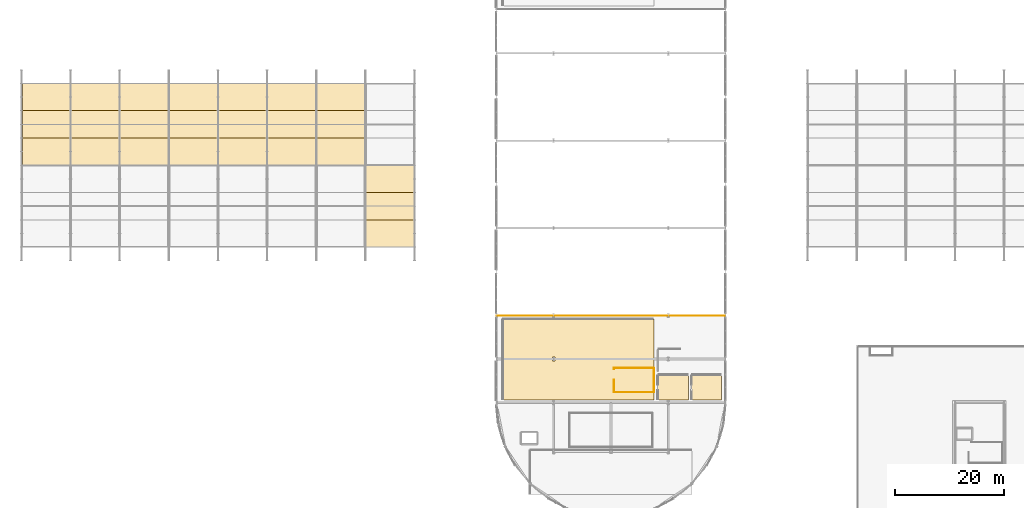
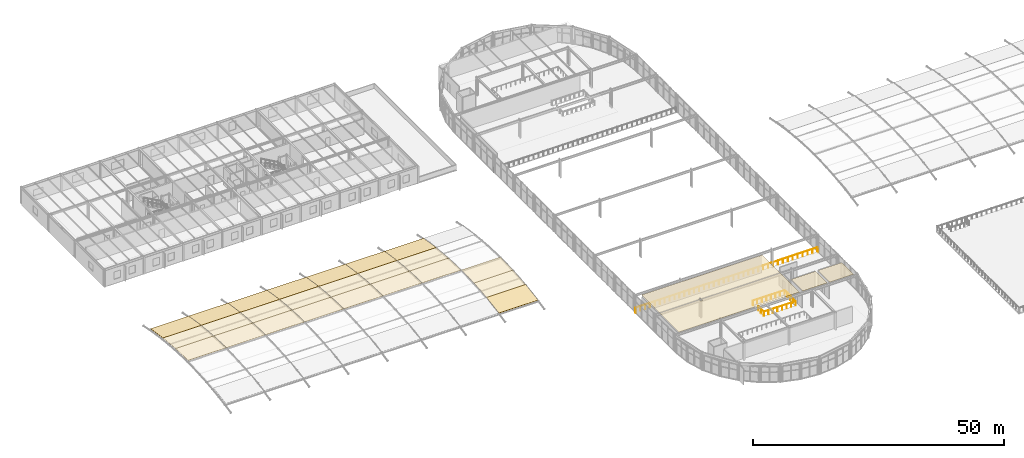
# One storey, part 90 of 105: 27 coverings, 3 railings.
"""IFC4 building model written with IfcOpenShell, lengths in metres."""

from ifc_helpers import new_model, si_unit, direction, frame, origin, origin_2d, place, context, subcontext, project, spatial, polyline, circle, outline, extrude, material, layer, layer_set, type_object, element, save


model = new_model("IFC4")

# Units and contexts
model_context = context("Model", 3, precision=1e-05, world=origin(), true_north=direction((0.0, 1.0)))
body_context = subcontext(model_context, "Body", "Model", "MODEL_VIEW")
ifc_project = project(units=[si_unit("LENGTHUNIT", "METRE"), si_unit("AREAUNIT", "SQUARE_METRE"), si_unit("VOLUMEUNIT", "CUBIC_METRE"), si_unit("PLANEANGLEUNIT", "RADIAN"), si_unit("MASSUNIT", "GRAM", prefix="KILO")], contexts=[model_context])

# Site, building, storey
site_placement = place(None, origin())
site = spatial("IfcSite", under=ifc_project, at=site_placement, CompositionType="ELEMENT")
building_placement = place(site_placement, origin())
building = spatial("IfcBuilding", under=site, at=building_placement, Name="Marlcrest Central Station", CompositionType="ELEMENT")
storey_placement = place(building_placement, frame((0.0, 0.0, 15.0)))
storey = spatial("IfcBuildingStorey", under=building, at=storey_placement, Name="L03", CompositionType="ELEMENT", Elevation=15.0)

# Coverings
ifc_material_1 = material(Name="Perforated acoustic mineral-fibre ceiling")
ifc_layer_1 = layer(ifc_material_1, 0.02490234375, Name="CV-CLG")
ifc_layer_set_1 = layer_set([ifc_layer_1], Name="Perforated acoustic mineral-fibre ceiling")
covering_type_1 = type_object("IfcCoveringType", Name="CV-CLG", PredefinedType="CEILING", material=ifc_layer_set_1)
covering_1_placement = place(storey_placement, frame((0.0, 0.0, 4.175048828125)))
element("IfcCovering", 1, at=covering_1_placement, inside=storey, type_object=covering_type_1, Name="cov-clg-0119", PredefinedType="CEILING", context=body_context, shape_type="SweptSolid", body=[
    extrude(outline(polyline([(88.159912109375, 22.9599609375), (88.159912109375, 37.840087890625), (115.840087890625, 37.840087890625), (115.840087890625, 22.9599609375), (88.159912109375, 22.9599609375)]), holes=[polyline([(97.7099609375, 30.885009765625), (97.2900390625, 30.885009765625), (97.2900390625, 30.114990234375), (97.7099609375, 30.114990234375), (97.7099609375, 30.885009765625)])]), origin(), (0.0, 0.0, 1.0), 0.02490234375),
])
covering_2_placement = place(storey_placement, frame((0.0, 0.0, 4.175048828125)))
element("IfcCovering", 2, at=covering_2_placement, inside=storey, type_object=covering_type_1, Name="cov-clg-0123", PredefinedType="CEILING", context=body_context, shape_type="SweptSolid", body=[
    extrude(outline(polyline([(122.239990234375, 22.9599609375), (122.239990234375, 27.639892578125), (116.56005859375, 27.639892578125), (116.56005859375, 22.9599609375), (122.239990234375, 22.9599609375)])), origin(), (0.0, 0.0, 1.0), 0.02490234375),
])
covering_3_placement = place(storey_placement, frame((0.0, 0.0, 4.175048828125)))
element("IfcCovering", 3, at=covering_3_placement, inside=storey, type_object=covering_type_1, Name="cov-clg-0124", PredefinedType="CEILING", context=body_context, shape_type="SweptSolid", body=[
    extrude(outline(polyline([(128.239990234375, 22.9599609375), (128.239990234375, 27.639892578125), (122.760009765625, 27.639892578125), (122.760009765625, 22.9599609375), (128.239990234375, 22.9599609375)])), origin(), (0.0, 0.0, 1.0), 0.02490234375),
])
ifc_material_2 = material(Name="Standing-seam marine-coated aluminium roofing", Category="aluminium")
ifc_layer_2 = layer(ifc_material_2, 0.06494140625, Name="CV-RF2")
ifc_layer_set_2 = layer_set([ifc_layer_2], Name="Standing-seam marine-coated aluminium roofing")
covering_type_2 = type_object("IfcCoveringType", Name="CV-RF2", PredefinedType="ROOFING", material=ifc_layer_set_2)
covering_4_placement = place(storey_placement, frame((0.219970703125, 76.0, 1.37939453125), z_axis=(0.0, 0.153293462578, 0.98818070935), x_axis=(1.0, 0.0, 0.0)))
element("IfcCovering", 4, at=covering_4_placement, inside=storey, type_object=covering_type_2, Name="cov-shed-0014", PredefinedType="ROOFING", context=body_context, shape_type="SweptSolid", body=[
    extrude(outline(polyline([(0.0, 0.0), (8.780029296875, 0.0), (8.780029296875, 5.059803285666958), (0.0, 5.059803285666958), (0.0, 0.0)])), origin(), (0.0, 0.0, -1.0), 0.06494140625),
])
for number, where, z_axis, x_axis, name in (
    (5, (9.0, 76.0, 1.37939453125), (0.0, 0.153293462578, 0.98818070935), (1.0, 0.0, 0.0), "cov-shed-0028"),
    (6, (18.0, 76.0, 1.37939453125), (0.0, 0.153293462578, 0.98818070935), (1.0, 0.0, 0.0), "cov-shed-0042"),
    (7, (27.0, 76.0, 1.37939453125), (0.0, 0.153293462578, 0.98818070935), (1.0, 0.0, 0.0), "cov-shed-0056"),
    (8, (36.0, 76.0, 1.37939453125), (0.0, 0.153293462578, 0.98818070935), (1.0, 0.0, 0.0), "cov-shed-0070"),
    (9, (45.0, 76.0, 1.37939453125), (0.0, 0.153293462578, 0.98818070935), (1.0, 0.0, 0.0), "cov-shed-0084"),
    (10, (54.0, 76.0, 1.37939453125), (0.0, 0.153293462578, 0.98818070935), (1.0, 0.0, 0.0), "cov-shed-0098"),
    (11, (63.0, 51.0, 0.603759765625), (0.0, -0.153293462578, 0.98818070935), (1.0, 0.0, 0.0), "cov-shed-0107"),
):
    element("IfcCovering", number, at=place(storey_placement, frame(where, z_axis=z_axis, x_axis=x_axis)), inside=storey, type_object=covering_type_2, Name=name, PredefinedType="ROOFING", context=body_context, shape_type="SweptSolid", body=[
        extrude(outline(polyline([(0.0, 0.0), (9.0, 0.0), (9.0, 5.059803285666958), (0.0, 5.059803285666958), (0.0, 0.0)])), origin(), (0.0, 0.0, -1.0), 0.06494140625),
    ])
ifc_material_3 = material(Name="Translucent GRP barrel crown roof panel")
ifc_layer_3 = layer(ifc_material_3, 0.054931640625, Name="CV-SK1")
ifc_layer_set_3 = layer_set([ifc_layer_3], Name="Translucent GRP barrel crown roof panel")
covering_type_3 = type_object("IfcCoveringType", Name="CV-SK1", PredefinedType="ROOFING", material=ifc_layer_set_3)
covering_5_placement = place(storey_placement, frame((0.219970703125, 66.0, 2.0), z_axis=(0.0, 0.030990966165, 0.999519664647), x_axis=(1.0, 0.0, 0.0)))
element("IfcCovering", 12, at=covering_5_placement, inside=storey, type_object=covering_type_3, Name="cov-shed-0012", PredefinedType="ROOFING", context=body_context, shape_type="SweptSolid", body=[
    extrude(outline(polyline([(0.0, 0.0), (8.780029296875, 0.0), (8.780029296875, 5.002402830929308), (0.0, 5.002402830929308), (0.0, 0.0)])), origin(), (0.0, 0.0, -1.0), 0.054931640625),
])
covering_6_placement = place(storey_placement, frame((0.219970703125, 71.0, 1.844970703125), z_axis=(0.0, 0.092714165239, 0.995692765648), x_axis=(1.0, 0.0, 0.0)))
element("IfcCovering", 13, at=covering_6_placement, inside=storey, type_object=covering_type_3, Name="cov-shed-0013", PredefinedType="ROOFING", context=body_context, shape_type="SweptSolid", body=[
    extrude(outline(polyline([(0.0, 0.0), (8.780029296875, 0.0), (8.780029296875, 5.0216293343712435), (0.0, 5.0216293343712435), (0.0, 0.0)])), origin(), (0.0, 0.0, -1.0), 0.054931640625),
])
covering_7_placement = place(storey_placement, frame((9.0, 66.0, 2.0), z_axis=(0.0, 0.030990966165, 0.999519664647), x_axis=(1.0, 0.0, 0.0)))
element("IfcCovering", 14, at=covering_7_placement, inside=storey, type_object=covering_type_3, Name="cov-shed-0026", PredefinedType="ROOFING", context=body_context, shape_type="SweptSolid", body=[
    extrude(outline(polyline([(0.0, 0.0), (9.0, 0.0), (9.0, 5.0024028309293085), (0.0, 5.0024028309293085), (0.0, 0.0)])), origin(), (0.0, 0.0, -1.0), 0.054931640625),
])
covering_8_placement = place(storey_placement, frame((9.0, 71.0, 1.844970703125), z_axis=(0.0, 0.092714165239, 0.995692765648), x_axis=(1.0, 0.0, 0.0)))
element("IfcCovering", 15, at=covering_8_placement, inside=storey, type_object=covering_type_3, Name="cov-shed-0027", PredefinedType="ROOFING", context=body_context, shape_type="SweptSolid", body=[
    extrude(outline(polyline([(0.0, 0.0), (9.0, 0.0), (9.0, 5.0216293343712435), (0.0, 5.0216293343712435), (0.0, 0.0)])), origin(), (0.0, 0.0, -1.0), 0.054931640625),
])
covering_9_placement = place(storey_placement, frame((18.0, 66.0, 2.0), z_axis=(0.0, 0.030990966165, 0.999519664647), x_axis=(1.0, 0.0, 0.0)))
element("IfcCovering", 16, at=covering_9_placement, inside=storey, type_object=covering_type_3, Name="cov-shed-0040", PredefinedType="ROOFING", context=body_context, shape_type="SweptSolid", body=[
    extrude(outline(polyline([(0.0, 0.0), (9.0, 0.0), (9.0, 5.0024028309293085), (0.0, 5.0024028309293085), (0.0, 0.0)])), origin(), (0.0, 0.0, -1.0), 0.054931640625),
])
covering_10_placement = place(storey_placement, frame((18.0, 71.0, 1.844970703125), z_axis=(0.0, 0.092714165239, 0.995692765648), x_axis=(1.0, 0.0, 0.0)))
element("IfcCovering", 17, at=covering_10_placement, inside=storey, type_object=covering_type_3, Name="cov-shed-0041", PredefinedType="ROOFING", context=body_context, shape_type="SweptSolid", body=[
    extrude(outline(polyline([(0.0, 0.0), (9.0, 0.0), (9.0, 5.0216293343712435), (0.0, 5.0216293343712435), (0.0, 0.0)])), origin(), (0.0, 0.0, -1.0), 0.054931640625),
])
covering_11_placement = place(storey_placement, frame((27.0, 66.0, 2.0), z_axis=(0.0, 0.030990966165, 0.999519664647), x_axis=(1.0, 0.0, 0.0)))
element("IfcCovering", 18, at=covering_11_placement, inside=storey, type_object=covering_type_3, Name="cov-shed-0054", PredefinedType="ROOFING", context=body_context, shape_type="SweptSolid", body=[
    extrude(outline(polyline([(0.0, 0.0), (9.0, 0.0), (9.0, 5.0024028309293085), (0.0, 5.0024028309293085), (0.0, 0.0)])), origin(), (0.0, 0.0, -1.0), 0.054931640625),
])
covering_12_placement = place(storey_placement, frame((27.0, 71.0, 1.844970703125), z_axis=(0.0, 0.092714165239, 0.995692765648), x_axis=(1.0, 0.0, 0.0)))
element("IfcCovering", 19, at=covering_12_placement, inside=storey, type_object=covering_type_3, Name="cov-shed-0055", PredefinedType="ROOFING", context=body_context, shape_type="SweptSolid", body=[
    extrude(outline(polyline([(0.0, 0.0), (9.0, 0.0), (9.0, 5.0216293343712435), (0.0, 5.0216293343712435), (0.0, 0.0)])), origin(), (0.0, 0.0, -1.0), 0.054931640625),
])
covering_13_placement = place(storey_placement, frame((36.0, 66.0, 2.0), z_axis=(0.0, 0.030990966165, 0.999519664647), x_axis=(1.0, 0.0, 0.0)))
element("IfcCovering", 20, at=covering_13_placement, inside=storey, type_object=covering_type_3, Name="cov-shed-0068", PredefinedType="ROOFING", context=body_context, shape_type="SweptSolid", body=[
    extrude(outline(polyline([(0.0, 0.0), (9.0, 0.0), (9.0, 5.0024028309293085), (0.0, 5.0024028309293085), (0.0, 0.0)])), origin(), (0.0, 0.0, -1.0), 0.054931640625),
])
covering_14_placement = place(storey_placement, frame((36.0, 71.0, 1.844970703125), z_axis=(0.0, 0.092714165239, 0.995692765648), x_axis=(1.0, 0.0, 0.0)))
element("IfcCovering", 21, at=covering_14_placement, inside=storey, type_object=covering_type_3, Name="cov-shed-0069", PredefinedType="ROOFING", context=body_context, shape_type="SweptSolid", body=[
    extrude(outline(polyline([(0.0, 0.0), (9.0, 0.0), (9.0, 5.0216293343712435), (0.0, 5.0216293343712435), (0.0, 0.0)])), origin(), (0.0, 0.0, -1.0), 0.054931640625),
])
covering_15_placement = place(storey_placement, frame((45.0, 66.0, 2.0), z_axis=(0.0, 0.030990966165, 0.999519664647), x_axis=(1.0, 0.0, 0.0)))
element("IfcCovering", 22, at=covering_15_placement, inside=storey, type_object=covering_type_3, Name="cov-shed-0082", PredefinedType="ROOFING", context=body_context, shape_type="SweptSolid", body=[
    extrude(outline(polyline([(0.0, 0.0), (9.0, 0.0), (9.0, 5.0024028309293085), (0.0, 5.0024028309293085), (0.0, 0.0)])), origin(), (0.0, 0.0, -1.0), 0.054931640625),
])
covering_16_placement = place(storey_placement, frame((45.0, 71.0, 1.844970703125), z_axis=(0.0, 0.092714165239, 0.995692765648), x_axis=(1.0, 0.0, 0.0)))
element("IfcCovering", 23, at=covering_16_placement, inside=storey, type_object=covering_type_3, Name="cov-shed-0083", PredefinedType="ROOFING", context=body_context, shape_type="SweptSolid", body=[
    extrude(outline(polyline([(0.0, 0.0), (9.0, 0.0), (9.0, 5.0216293343712435), (0.0, 5.0216293343712435), (0.0, 0.0)])), origin(), (0.0, 0.0, -1.0), 0.054931640625),
])
covering_17_placement = place(storey_placement, frame((54.0, 66.0, 2.0), z_axis=(0.0, 0.030990966165, 0.999519664647), x_axis=(1.0, 0.0, 0.0)))
element("IfcCovering", 24, at=covering_17_placement, inside=storey, type_object=covering_type_3, Name="cov-shed-0096", PredefinedType="ROOFING", context=body_context, shape_type="SweptSolid", body=[
    extrude(outline(polyline([(0.0, 0.0), (9.0, 0.0), (9.0, 5.0024028309293085), (0.0, 5.0024028309293085), (0.0, 0.0)])), origin(), (0.0, 0.0, -1.0), 0.054931640625),
])
for number, where, z_axis, x_axis, name in (
    (25, (54.0, 71.0, 1.844970703125), (0.0, 0.092714165239, 0.995692765648), (1.0, 0.0, 0.0), "cov-shed-0097"),
    (26, (63.0, 56.0, 1.37939453125), (0.0, -0.092714165239, 0.995692765648), (1.0, 0.0, 0.0), "cov-shed-0108"),
):
    element("IfcCovering", number, at=place(storey_placement, frame(where, z_axis=z_axis, x_axis=x_axis)), inside=storey, type_object=covering_type_3, Name=name, PredefinedType="ROOFING", context=body_context, shape_type="SweptSolid", body=[
        extrude(outline(polyline([(0.0, 0.0), (9.0, 0.0), (9.0, 5.0216293343712435), (0.0, 5.0216293343712435), (0.0, 0.0)])), origin(), (0.0, 0.0, -1.0), 0.054931640625),
    ])
covering_18_placement = place(storey_placement, frame((63.0, 61.0, 1.844970703125), z_axis=(0.0, -0.030990966165, 0.999519664647), x_axis=(1.0, 0.0, 0.0)))
element("IfcCovering", 27, at=covering_18_placement, inside=storey, type_object=covering_type_3, Name="cov-shed-0109", PredefinedType="ROOFING", context=body_context, shape_type="SweptSolid", body=[
    extrude(outline(polyline([(0.0, 0.0), (9.0, 0.0), (9.0, 5.0024028309293085), (0.0, 5.0024028309293085), (0.0, 0.0)])), origin(), (0.0, 0.0, -1.0), 0.054931640625),
])

# Railings
ifc_material_4 = material(Name="Stainless steel and laminated glass concourse balustrade", Category="steel")
railing_type = type_object("IfcRailingType", Name="GR-02", PredefinedType="BALUSTRADE", material=ifc_material_4)
railing_1_placement = place(storey_placement, frame((87.06005859375, 38.159912109375, 0.0)))
element("IfcRailing", 28, at=railing_1_placement, inside=storey, type_object=railing_type, Name="hr-L03-00428", PredefinedType="BALUSTRADE", context=body_context, shape_type="SweptSolid", body=[
    extrude(circle(Radius=0.02392578125, at=origin_2d()), frame((0.0, 0.0, 1.09619140625), z_axis=(0.0, 1.0, 0.0), x_axis=(-1.0, 0.0, 0.0)), (0.0, 0.0, 1.0), 0.280029296875),
    extrude(circle(Radius=0.02392578125, at=origin_2d()), frame((0.0, 0.280029296875, 1.09619140625), z_axis=(1.0, 0.0, 0.0), x_axis=(0.0, 1.0, 0.0)), (0.0, 0.0, 1.0), 41.8798828125),
    extrude(circle(Radius=0.02392578125, at=origin_2d()), frame((41.8798828125, 0.280029296875, 1.09619140625), z_axis=(0.0, -1.0, 0.0), x_axis=(1.0, 0.0, 0.0)), (0.0, 0.0, 1.0), 0.280029296875),
    extrude(circle(Radius=0.02099609375, at=origin_2d()), origin(), (0.0, 0.0, 1.0), 1.072021484375),
    extrude(circle(Radius=0.02099609375, at=origin_2d()), frame((0.0, 0.280029296875, 0.0)), (0.0, 0.0, 1.0), 1.072021484375),
    extrude(circle(Radius=0.02099609375, at=origin_2d()), frame((1.1318359375, 0.280029296875, 0.0)), (0.0, 0.0, 1.0), 1.072021484375),
    extrude(circle(Radius=0.02099609375, at=origin_2d()), frame((2.263671875, 0.280029296875, 0.0)), (0.0, 0.0, 1.0), 1.072021484375),
    extrude(circle(Radius=0.02099609375, at=origin_2d()), frame((3.395751953125, 0.280029296875, 0.0)), (0.0, 0.0, 1.0), 1.072021484375),
    extrude(circle(Radius=0.02099609375, at=origin_2d()), frame((4.527587890625, 0.280029296875, 0.0)), (0.0, 0.0, 1.0), 1.072021484375),
    extrude(circle(Radius=0.02099609375, at=origin_2d()), frame((5.659423828125, 0.280029296875, 0.0)), (0.0, 0.0, 1.0), 1.072021484375),
    extrude(circle(Radius=0.02099609375, at=origin_2d()), frame((6.791259765625, 0.280029296875, 0.0)), (0.0, 0.0, 1.0), 1.072021484375),
    extrude(circle(Radius=0.02099609375, at=origin_2d()), frame((7.92333984375, 0.280029296875, 0.0)), (0.0, 0.0, 1.0), 1.072021484375),
    extrude(circle(Radius=0.02099609375, at=origin_2d()), frame((9.05517578125, 0.280029296875, 0.0)), (0.0, 0.0, 1.0), 1.072021484375),
    extrude(circle(Radius=0.02099609375, at=origin_2d()), frame((10.18701171875, 0.280029296875, 0.0)), (0.0, 0.0, 1.0), 1.072021484375),
    extrude(circle(Radius=0.02099609375, at=origin_2d()), frame((11.31884765625, 0.280029296875, 0.0)), (0.0, 0.0, 1.0), 1.072021484375),
    extrude(circle(Radius=0.02099609375, at=origin_2d()), frame((12.45068359375, 0.280029296875, 0.0)), (0.0, 0.0, 1.0), 1.072021484375),
    extrude(circle(Radius=0.02099609375, at=origin_2d()), frame((13.582763671875, 0.280029296875, 0.0)), (0.0, 0.0, 1.0), 1.072021484375),
    extrude(circle(Radius=0.02099609375, at=origin_2d()), frame((14.714599609375, 0.280029296875, 0.0)), (0.0, 0.0, 1.0), 1.072021484375),
    extrude(circle(Radius=0.02099609375, at=origin_2d()), frame((15.846435546875, 0.280029296875, 0.0)), (0.0, 0.0, 1.0), 1.072021484375),
    extrude(circle(Radius=0.02099609375, at=origin_2d()), frame((16.978271484375, 0.280029296875, 0.0)), (0.0, 0.0, 1.0), 1.072021484375),
    extrude(circle(Radius=0.02099609375, at=origin_2d()), frame((18.110107421875, 0.280029296875, 0.0)), (0.0, 0.0, 1.0), 1.072021484375),
    extrude(circle(Radius=0.02099609375, at=origin_2d()), frame((19.2421875, 0.280029296875, 0.0)), (0.0, 0.0, 1.0), 1.072021484375),
    extrude(circle(Radius=0.02099609375, at=origin_2d()), frame((20.3740234375, 0.280029296875, 0.0)), (0.0, 0.0, 1.0), 1.072021484375),
    extrude(circle(Radius=0.02099609375, at=origin_2d()), frame((21.505859375, 0.280029296875, 0.0)), (0.0, 0.0, 1.0), 1.072021484375),
    extrude(circle(Radius=0.02099609375, at=origin_2d()), frame((22.6376953125, 0.280029296875, 0.0)), (0.0, 0.0, 1.0), 1.072021484375),
    extrude(circle(Radius=0.02099609375, at=origin_2d()), frame((23.769775390625, 0.280029296875, 0.0)), (0.0, 0.0, 1.0), 1.072021484375),
    extrude(circle(Radius=0.02099609375, at=origin_2d()), frame((24.901611328125, 0.280029296875, 0.0)), (0.0, 0.0, 1.0), 1.072021484375),
    extrude(circle(Radius=0.02099609375, at=origin_2d()), frame((26.033447265625, 0.280029296875, 0.0)), (0.0, 0.0, 1.0), 1.072021484375),
    extrude(circle(Radius=0.02099609375, at=origin_2d()), frame((27.165283203125, 0.280029296875, 0.0)), (0.0, 0.0, 1.0), 1.072021484375),
    extrude(circle(Radius=0.02099609375, at=origin_2d()), frame((28.297119140625, 0.280029296875, 0.0)), (0.0, 0.0, 1.0), 1.072021484375),
    extrude(circle(Radius=0.02099609375, at=origin_2d()), frame((29.42919921875, 0.280029296875, 0.0)), (0.0, 0.0, 1.0), 1.072021484375),
    extrude(circle(Radius=0.02099609375, at=origin_2d()), frame((30.56103515625, 0.280029296875, 0.0)), (0.0, 0.0, 1.0), 1.072021484375),
    extrude(circle(Radius=0.02099609375, at=origin_2d()), frame((31.69287109375, 0.280029296875, 0.0)), (0.0, 0.0, 1.0), 1.072021484375),
    extrude(circle(Radius=0.02099609375, at=origin_2d()), frame((32.82470703125, 0.280029296875, 0.0)), (0.0, 0.0, 1.0), 1.072021484375),
    extrude(circle(Radius=0.02099609375, at=origin_2d()), frame((33.95654296875, 0.280029296875, 0.0)), (0.0, 0.0, 1.0), 1.072021484375),
    extrude(circle(Radius=0.02099609375, at=origin_2d()), frame((35.088623046875, 0.280029296875, 0.0)), (0.0, 0.0, 1.0), 1.072021484375),
    extrude(circle(Radius=0.02099609375, at=origin_2d()), frame((36.220458984375, 0.280029296875, 0.0)), (0.0, 0.0, 1.0), 1.072021484375),
    extrude(circle(Radius=0.02099609375, at=origin_2d()), frame((37.352294921875, 0.280029296875, 0.0)), (0.0, 0.0, 1.0), 1.072021484375),
    extrude(circle(Radius=0.02099609375, at=origin_2d()), frame((38.484130859375, 0.280029296875, 0.0)), (0.0, 0.0, 1.0), 1.072021484375),
    extrude(circle(Radius=0.02099609375, at=origin_2d()), frame((39.6162109375, 0.280029296875, 0.0)), (0.0, 0.0, 1.0), 1.072021484375),
    extrude(circle(Radius=0.02099609375, at=origin_2d()), frame((40.748046875, 0.280029296875, 0.0)), (0.0, 0.0, 1.0), 1.072021484375),
    extrude(circle(Radius=0.02099609375, at=origin_2d()), frame((41.8798828125, 0.280029296875, 0.0)), (0.0, 0.0, 1.0), 1.072021484375),
    extrude(circle(Radius=0.02099609375, at=origin_2d()), frame((41.8798828125, 0.0, 0.0)), (0.0, 0.0, 1.0), 1.072021484375),
])
railing_2_placement = place(storey_placement, frame((108.5400390625, 24.43994140625, 0.0)))
element("IfcRailing", 29, at=railing_2_placement, inside=storey, type_object=railing_type, Name="hr-L03-00446", PredefinedType="BALUSTRADE", context=body_context, shape_type="SweptSolid", body=[
    extrude(circle(Radius=0.02392578125, at=origin_2d()), frame((0.0, 0.0, 1.09619140625), z_axis=(1.0, 0.0, 0.0), x_axis=(0.0, 1.0, 0.0)), (0.0, 0.0, 1.0), 7.320068359375),
    extrude(circle(Radius=0.02392578125, at=origin_2d()), frame((7.320068359375, 0.0, 1.09619140625), z_axis=(0.0, 1.0, 0.0), x_axis=(-1.0, 0.0, 0.0)), (0.0, 0.0, 1.0), 4.420166015625),
    extrude(circle(Radius=0.02392578125, at=origin_2d()), frame((7.320068359375, 4.420166015625, 1.09619140625), z_axis=(-1.0, 0.0, 0.0), x_axis=(0.0, -1.0, 0.0)), (0.0, 0.0, 1.0), 7.320068359375),
    extrude(circle(Radius=0.02392578125, at=origin_2d()), frame((0.0, 4.420166015625, 1.09619140625), z_axis=(0.0, -1.0, 0.0), x_axis=(1.0, 0.0, 0.0)), (0.0, 0.0, 1.0), 0.190185546875),
    extrude(circle(Radius=0.02099609375, at=origin_2d()), origin(), (0.0, 0.0, 1.0), 1.072021484375),
    extrude(circle(Radius=0.02099609375, at=origin_2d()), frame((1.045654296875, 0.0, 0.0)), (0.0, 0.0, 1.0), 1.072021484375),
    extrude(circle(Radius=0.02099609375, at=origin_2d()), frame((2.091552734375, 0.0, 0.0)), (0.0, 0.0, 1.0), 1.072021484375),
    extrude(circle(Radius=0.02099609375, at=origin_2d()), frame((3.13720703125, 0.0, 0.0)), (0.0, 0.0, 1.0), 1.072021484375),
    extrude(circle(Radius=0.02099609375, at=origin_2d()), frame((4.182861328125, 0.0, 0.0)), (0.0, 0.0, 1.0), 1.072021484375),
    extrude(circle(Radius=0.02099609375, at=origin_2d()), frame((5.228515625, 0.0, 0.0)), (0.0, 0.0, 1.0), 1.072021484375),
    extrude(circle(Radius=0.02099609375, at=origin_2d()), frame((6.2744140625, 0.0, 0.0)), (0.0, 0.0, 1.0), 1.072021484375),
    extrude(circle(Radius=0.02099609375, at=origin_2d()), frame((7.320068359375, 0.0, 0.0)), (0.0, 0.0, 1.0), 1.072021484375),
    extrude(circle(Radius=0.02099609375, at=origin_2d()), frame((7.320068359375, 1.10498046875, 0.0)), (0.0, 0.0, 1.0), 1.072021484375),
    extrude(circle(Radius=0.02099609375, at=origin_2d()), frame((7.320068359375, 2.2099609375, 0.0)), (0.0, 0.0, 1.0), 1.072021484375),
    extrude(circle(Radius=0.02099609375, at=origin_2d()), frame((7.320068359375, 3.315185546875, 0.0)), (0.0, 0.0, 1.0), 1.072021484375),
    extrude(circle(Radius=0.02099609375, at=origin_2d()), frame((7.320068359375, 4.420166015625, 0.0)), (0.0, 0.0, 1.0), 1.072021484375),
    extrude(circle(Radius=0.02099609375, at=origin_2d()), frame((6.2744140625, 4.420166015625, 0.0)), (0.0, 0.0, 1.0), 1.072021484375),
    extrude(circle(Radius=0.02099609375, at=origin_2d()), frame((5.228515625, 4.420166015625, 0.0)), (0.0, 0.0, 1.0), 1.072021484375),
    extrude(circle(Radius=0.02099609375, at=origin_2d()), frame((4.182861328125, 4.420166015625, 0.0)), (0.0, 0.0, 1.0), 1.072021484375),
    extrude(circle(Radius=0.02099609375, at=origin_2d()), frame((3.13720703125, 4.420166015625, 0.0)), (0.0, 0.0, 1.0), 1.072021484375),
    extrude(circle(Radius=0.02099609375, at=origin_2d()), frame((2.091552734375, 4.420166015625, 0.0)), (0.0, 0.0, 1.0), 1.072021484375),
    extrude(circle(Radius=0.02099609375, at=origin_2d()), frame((1.045654296875, 4.420166015625, 0.0)), (0.0, 0.0, 1.0), 1.072021484375),
    extrude(circle(Radius=0.02099609375, at=origin_2d()), frame((0.0, 4.420166015625, 0.0)), (0.0, 0.0, 1.0), 1.072021484375),
    extrude(circle(Radius=0.02099609375, at=origin_2d()), frame((0.0, 4.22998046875, 0.0)), (0.0, 0.0, 1.0), 1.072021484375),
])
railing_3_placement = place(storey_placement, frame((108.5400390625, 26.68994140625, 0.0)))
element("IfcRailing", 30, at=railing_3_placement, inside=storey, type_object=railing_type, Name="hr-L03-00447", PredefinedType="BALUSTRADE", context=body_context, shape_type="SweptSolid", body=[
    extrude(circle(Radius=0.02392578125, at=origin_2d()), frame((0.0, 0.0, 1.09619140625), z_axis=(0.0, -1.0, 0.0), x_axis=(1.0, 0.0, 0.0)), (0.0, 0.0, 1.0), 2.25),
    extrude(circle(Radius=0.02099609375, at=origin_2d()), origin(), (0.0, 0.0, 1.0), 1.072021484375),
    extrude(circle(Radius=0.02099609375, at=origin_2d()), frame((0.0, -1.125, 0.0)), (0.0, 0.0, 1.0), 1.072021484375),
    extrude(circle(Radius=0.02099609375, at=origin_2d()), frame((0.0, -2.25, 0.0)), (0.0, 0.0, 1.0), 1.072021484375),
])

save(model, "model.ifc")
